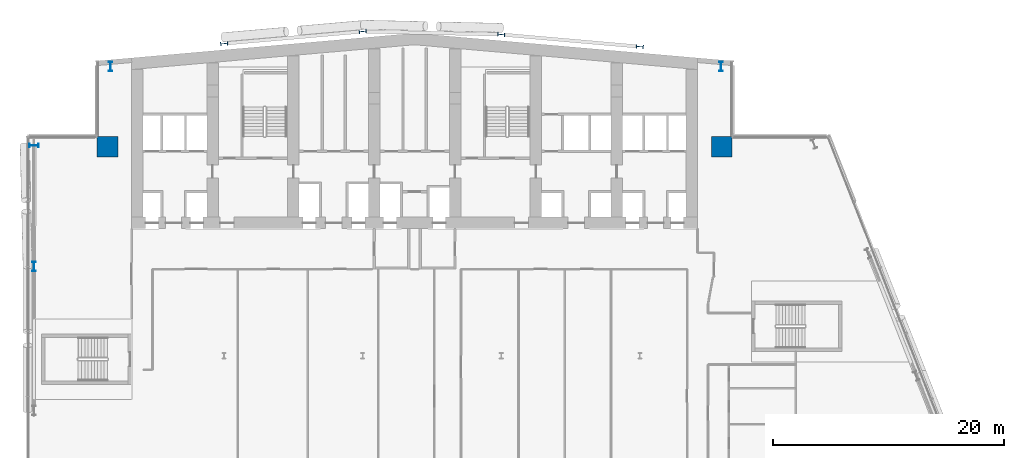
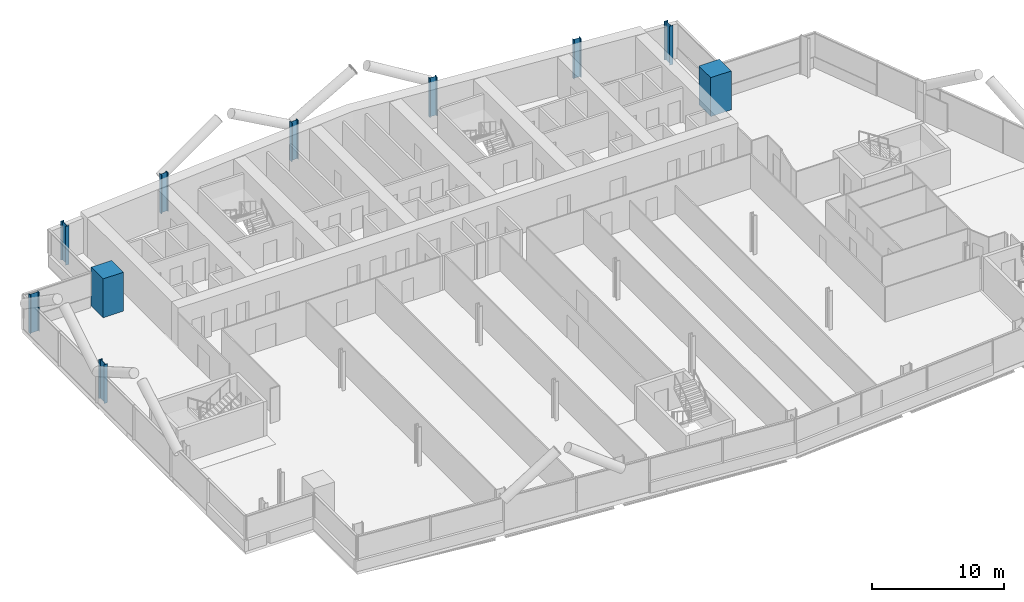
# One storey, part 3 of 25: 10 columns.
"""IFC4 building model written with IfcOpenShell, lengths in metres."""

from ifc_helpers import new_model, si_unit, direction, frame, origin, origin_2d, place, context, subcontext, project, spatial, rectangle, i_section, extrude, material, material_profile, profile_set, type_object, element, save


model = new_model("IFC4")

# Units and contexts
model_context = context("Model", 3, precision=1e-05, world=origin(), true_north=direction((0.0, 1.0)))
body_context = subcontext(model_context, "Body", "Model", "MODEL_VIEW")
ifc_project = project(units=[si_unit("LENGTHUNIT", "METRE"), si_unit("AREAUNIT", "SQUARE_METRE"), si_unit("VOLUMEUNIT", "CUBIC_METRE"), si_unit("PLANEANGLEUNIT", "RADIAN"), si_unit("MASSUNIT", "GRAM", prefix="KILO")], contexts=[model_context])

# Site, building, storey
site_placement = place(None, origin())
site = spatial("IfcSite", under=ifc_project, at=site_placement, CompositionType="ELEMENT")
building_placement = place(site_placement, origin())
building = spatial("IfcBuilding", under=site, at=building_placement, Name="Wharfspan Tower", CompositionType="ELEMENT")
storey_placement = place(building_placement, frame((0.0, 0.0, 129.100098)))
storey = spatial("IfcBuildingStorey", under=building, at=storey_placement, Name="L30", CompositionType="ELEMENT", Elevation=129.100098)

# Columns
ifc_material_1 = material(Name="Steel S355J2", Category="steel")
ifc_material_profile_1 = material_profile(ifc_material_1, i_section(OverallWidth=0.304932, OverallDepth=0.620117, WebThickness=0.020996, FlangeThickness=0.040039, FilletRadius=0.0271, at=origin_2d()))
ifc_profile_set_1 = profile_set([ifc_material_profile_1], Name="Steel S355J2")
column_type_1 = type_object("IfcColumnType", Name="Column HEM 600", PredefinedType="COLUMN", material=ifc_profile_set_1)
for number, where, z_axis, x_axis, name in (
    (1, (24.0, 50.027344, 0.0), (0.0, 0.0, 1.0), (-0.087156, 0.996198, 0.0), "Rear column R.1 L30"),
    (2, (36.0, 51.077148, 0.0), (0.0, 0.0, 1.0), (-0.087156, 0.996198, 0.0), "Rear column R.2 L30"),
    (3, (48.0, 50.814697, 0.0), (0.0, 0.0, 1.0), (0.087156, 0.996198, 0.0), "Rear column R.3 L30"),
    (4, (60.0, 49.764893, 0.0), (0.0, 0.0, 1.0), (0.087156, 0.996198, 0.0), "Rear column R.4 L30"),
):
    element("IfcColumn", number, at=place(storey_placement, frame(where, z_axis=z_axis, x_axis=x_axis)), inside=storey, type_object=column_type_1, Name=name, PredefinedType="COLUMN", context=body_context, shape_type="SweptSolid", body=[
        extrude(i_section(OverallWidth=0.304932, OverallDepth=0.620117, WebThickness=0.020996, FlangeThickness=0.040039, FilletRadius=0.0271, at=origin_2d()), origin(), (0.0, 0.0, 1.0), 3.599854),
    ])
ifc_material_profile_2 = material_profile(ifc_material_1, i_section(OverallWidth=0.302979, OverallDepth=0.813965, WebThickness=0.020996, FlangeThickness=0.040039, FilletRadius=0.030029, at=origin_2d()))
ifc_profile_set_2 = profile_set([ifc_material_profile_2], Name="Steel S355J2")
column_type_2 = type_object("IfcColumnType", Name="Column HEM 800", PredefinedType="COLUMN", material=ifc_profile_set_2)
for number, where, z_axis, x_axis, name in (
    (5, (67.031982, 48.035645, 0.0), (0.0, 0.0, 1.0), (1.0, 0.0, 0.0), "Perimeter column PNRE-V.1 L30"),
    (6, (14.171631, 48.03418, 0.0), (0.0, 0.0, 1.0), (-1.0, 0.0, 0.0), "Perimeter column PNRW-V.1 L30"),
    (7, (7.544434, 41.208008, 0.0), (0.0, 0.0, 1.0), (0.0, 1.0, 0.0), "Perimeter column PNRW-H.1 L30"),
    (8, (7.540039, 30.733398, 0.0), (0.0, 0.0, 1.0), (-1.0, 0.0, 0.0), "Perimeter column PW.1 L30"),
):
    element("IfcColumn", number, at=place(storey_placement, frame(where, z_axis=z_axis, x_axis=x_axis)), inside=storey, type_object=column_type_2, Name=name, PredefinedType="COLUMN", context=body_context, shape_type="SweptSolid", body=[
        extrude(i_section(OverallWidth=0.302979, OverallDepth=0.813965, WebThickness=0.020996, FlangeThickness=0.040039, FilletRadius=0.030029, at=origin_2d()), origin(), (0.0, 0.0, 1.0), 3.599854),
    ])
ifc_material_2 = material(Name="Concrete C70/85", Category="concrete")
ifc_material_profile_3 = material_profile(ifc_material_2, rectangle(XDim=1.800049, YDim=1.800049, at=origin_2d()))
ifc_profile_set_3 = profile_set([ifc_material_profile_3], Name="Concrete C70/85")
column_type_3 = type_object("IfcColumnType", Name="Mega column 1800 C70/85", PredefinedType="COLUMN", material=ifc_profile_set_3)
for number, where, z_axis, x_axis, name in (
    (9, (13.899902, 41.100098, 0.0), (0.0, 0.0, 1.0), (1.0, 0.0, 0.0), "Mega column MC2 L30"),
    (10, (67.100098, 41.100098, 0.0), (0.0, 0.0, 1.0), (1.0, 0.0, 0.0), "Mega column MC3 L30"),
):
    element("IfcColumn", number, at=place(storey_placement, frame(where, z_axis=z_axis, x_axis=x_axis)), inside=storey, type_object=column_type_3, Name=name, PredefinedType="COLUMN", context=body_context, shape_type="SweptSolid", body=[
        extrude(rectangle(XDim=1.800049, YDim=1.800049, at=origin_2d()), origin(), (0.0, 0.0, 1.0), 3.599854),
    ])

save(model, "model.ifc")
